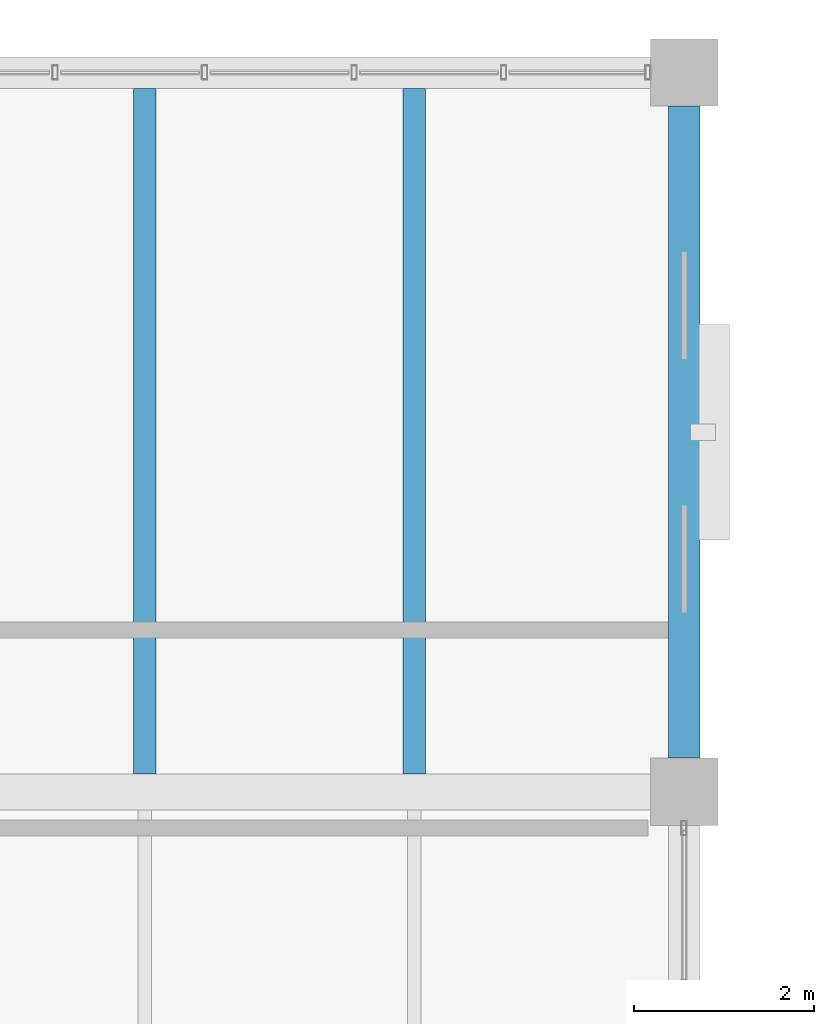
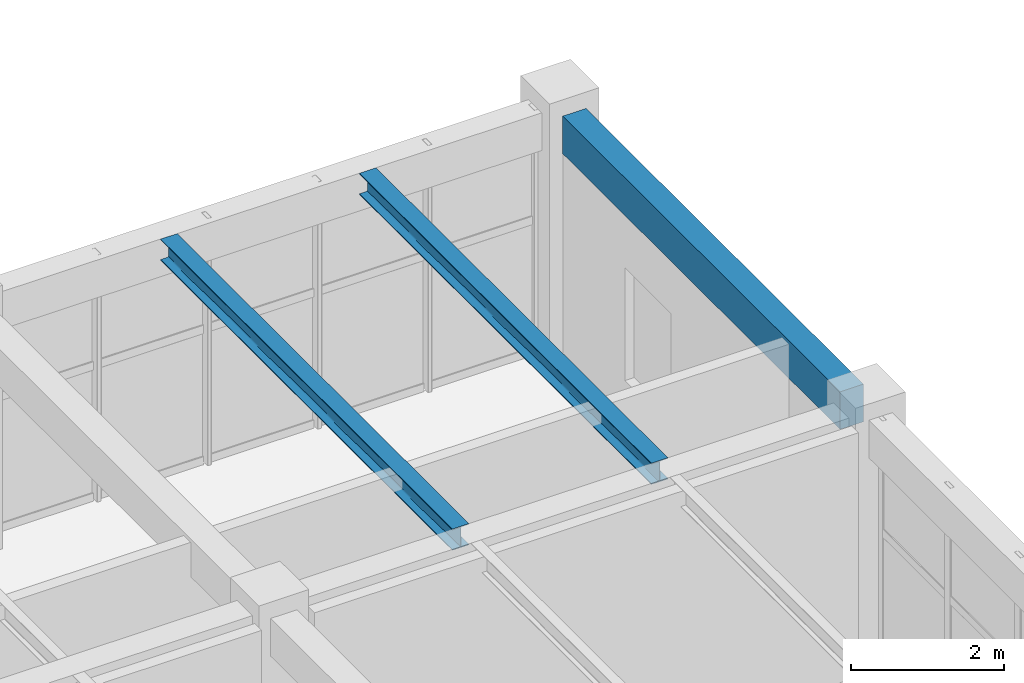
# One storey, part 74 of 148: 3 beams.
"""IFC4 building model written with IfcOpenShell, lengths in metres."""

from ifc_helpers import new_model, si_unit, derived_unit, direction, frame, origin, origin_2d, place, context, subcontext, project, spatial, rectangle, i_section, extrude, material, material_profile, profile_set, type_object, element, save


model = new_model("IFC4")

# Units and contexts
model_context = context("Model", 3, precision=1e-05, world=origin(), true_north=direction((0.0, 1.0)))
body_context = subcontext(model_context, "Body", "Model", "MODEL_VIEW")
ifc_project = project(units=[si_unit("LENGTHUNIT", "METRE"), si_unit("AREAUNIT", "SQUARE_METRE"), si_unit("VOLUMEUNIT", "CUBIC_METRE"), si_unit("PLANEANGLEUNIT", "RADIAN"), si_unit("MASSUNIT", "GRAM", prefix="KILO"), derived_unit("THERMALTRANSMITTANCEUNIT", [(si_unit("MASSUNIT", "GRAM", prefix="KILO"), 1), (si_unit("TIMEUNIT", "SECOND"), -3), (si_unit("THERMODYNAMICTEMPERATUREUNIT", "KELVIN"), -1)])], contexts=[model_context])

# Site, building, storey
site_placement = place(None, origin())
site = spatial("IfcSite", under=ifc_project, at=site_placement, CompositionType="ELEMENT")
building_placement = place(site_placement, origin())
building = spatial("IfcBuilding", under=site, at=building_placement, Name="Zhenchuan Archway Interchange", CompositionType="ELEMENT")
storey_placement = place(building_placement, frame((0.0, 0.0, 10.199951171875)))
storey = spatial("IfcBuildingStorey", under=building, at=storey_placement, Name="L02", CompositionType="ELEMENT", Elevation=10.199951171875)

# Beams
ifc_material_1 = material(Name="Steel Q355", Category="steel")
ifc_material_profile_1 = material_profile(ifc_material_1, i_section(OverallWidth=0.25, OverallDepth=0.340087890625, WebThickness=0.009033203125, FlangeThickness=0.013916015625, FilletRadius=0.01806640625, at=origin_2d()), Name="HM 340x250")
ifc_profile_set_1 = profile_set([ifc_material_profile_1], Name="Steel Q355")
beam_type_1 = type_object("IfcBeamType", Name="JST_STL_HM340", PredefinedType="JOIST", material=ifc_profile_set_1)
for number, where, z_axis, x_axis, name in (
    (1, (48.0, 104.199951171875, 3.77001953125), (0.0, 1.0, 0.0), (-1.0, 0.0, 0.0), "Secondary joist 6-7/O-P #1 (L02)"),
    (2, (51.0, 104.199951171875, 3.77001953125), (0.0, 1.0, 0.0), (-1.0, 0.0, 0.0), "Secondary joist 6-7/O-P #2 (L02)"),
):
    element("IfcBeam", number, at=place(storey_placement, frame(where, z_axis=z_axis, x_axis=x_axis)), inside=storey, type_object=beam_type_1, Name=name, PredefinedType="JOIST", context=body_context, shape_type="SweptSolid", body=[
        extrude(i_section(OverallWidth=0.25, OverallDepth=0.340087890625, WebThickness=0.009033203125, FlangeThickness=0.013916015625, FilletRadius=0.01806640625, at=origin_2d()), origin(), (0.0, 0.0, 1.0), 7.625),
    ])
ifc_material_2 = material(Name="Concrete C40", Category="concrete")
ifc_material_profile_2 = material_profile(ifc_material_2, rectangle(XDim=0.35009765625, YDim=0.60009765625, at=origin_2d()), Name="RC 350x600")
ifc_profile_set_2 = profile_set([ifc_material_profile_2], Name="Concrete C40")
beam_type_2 = type_object("IfcBeamType", Name="SP_RC_350x600", PredefinedType="SPANDREL", material=ifc_profile_set_2)
beam_placement = place(storey_placement, frame((54.0, 104.375, 3.64013671875), z_axis=(0.0, 1.0, 0.0), x_axis=(-1.0, 0.0, 0.0)))
element("IfcBeam", 3, at=beam_placement, inside=storey, type_object=beam_type_2, Name="Beam 7:O-P (L02)", PredefinedType="SPANDREL", context=body_context, shape_type="SweptSolid", body=[
    extrude(rectangle(XDim=0.35009765625, YDim=0.60009765625, at=origin_2d()), origin(), (0.0, 0.0, 1.0), 7.25),
])

save(model, "model.ifc")
